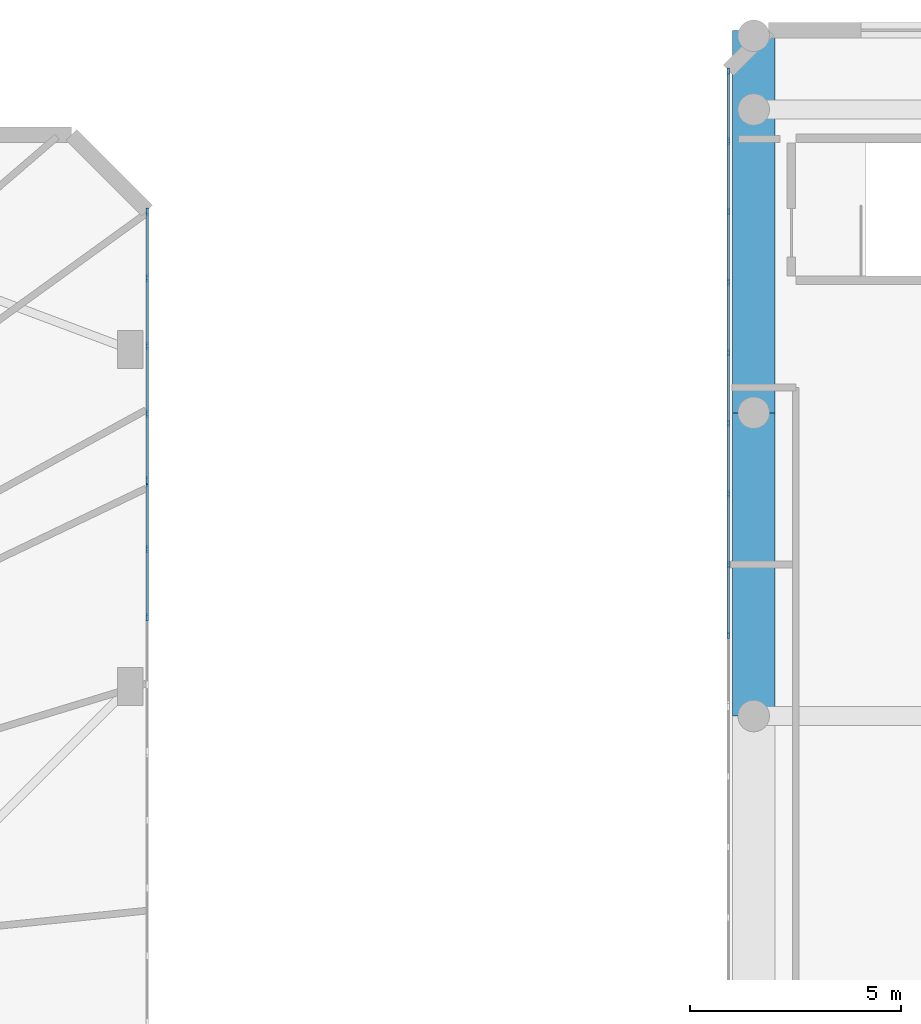
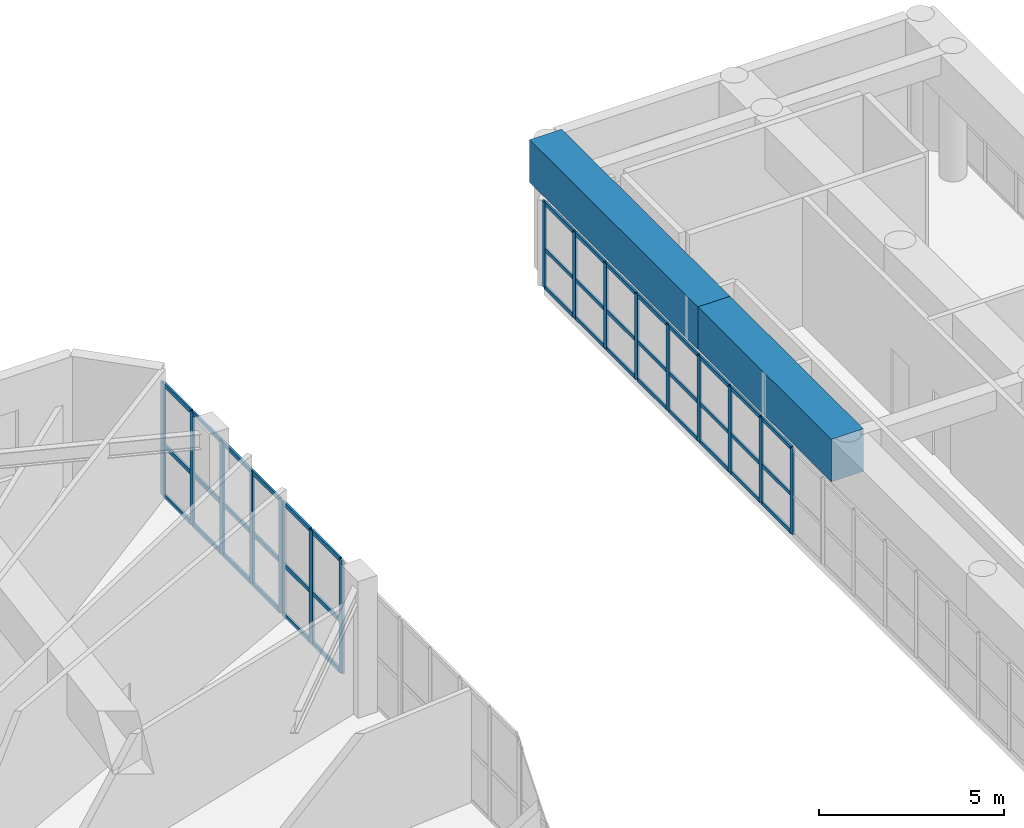
# One storey, part 7 of 22: 59 members, 2 beams, 3 elements without a shape of their own.
"""IFC4 building model written with IfcOpenShell, lengths in metres."""

from ifc_helpers import new_model, si_unit, direction, frame, origin, origin_with_axes, origin_2d, place, context, subcontext, project, spatial, rectangle, extrude, source, transform, mapped, material, layer, layer_set, material_profile, profile_set, type_object, element, aggregate, save


model = new_model("IFC4")

# Units and contexts
model_context = context("Model", 3, precision=1e-05, world=origin(), true_north=direction((0.0, 1.0)))
body_context = subcontext(model_context, "Body", "Model", "MODEL_VIEW")
ifc_project = project(units=[si_unit("LENGTHUNIT", "METRE"), si_unit("AREAUNIT", "SQUARE_METRE"), si_unit("VOLUMEUNIT", "CUBIC_METRE"), si_unit("PLANEANGLEUNIT", "RADIAN"), si_unit("MASSUNIT", "GRAM", prefix="KILO")], contexts=[model_context])

# Site, building, storey
site_placement = place(None, origin())
site = spatial("IfcSite", under=ifc_project, at=site_placement, CompositionType="ELEMENT")
building_placement = place(site_placement, origin())
building = spatial("IfcBuilding", under=site, at=building_placement, Name="Karkom Vertical University and Central Library", CompositionType="ELEMENT")
storey_placement = place(building_placement, frame((0.0, 0.0, 18.0)))
storey = spatial("IfcBuildingStorey", under=building, at=storey_placement, Name="L04", CompositionType="ELEMENT", Elevation=18.0)

# Beams
ifc_material_1 = material(Name="Concrete C50/60", Category="concrete")
ifc_material_profile_1 = material_profile(ifc_material_1, rectangle(XDim=1.0, YDim=1.39990234375, at=origin_2d()), Name="TG-1000x1400")
ifc_profile_set_1 = profile_set([ifc_material_profile_1], Name="Concrete C50/60")
beam_type = type_object("IfcBeamType", Name="STR-BM-TG-2", PredefinedType="USERDEFINED", material=ifc_profile_set_1)
shared_shape_1 = source(origin_with_axes(), body_context, "Body", "SweptSolid", [
    extrude(rectangle(XDim=1.0, YDim=1.39990234375, at=origin_2d()), origin(), (0.0, 0.0, 1.0), 9.080078125),
])
beam_1_placement = place(storey_placement, frame((69.60009765625, 41.0, 3.52490234375), z_axis=(0.0, 1.0, 0.0), x_axis=(-1.0, 0.0, 0.0)))
element("IfcBeam", 1, at=beam_1_placement, inside=storey, type_object=beam_type, Name="Level 04 Library Vault Transfer Eave Girder 1.6", ObjectType="GIRDER", PredefinedType="USERDEFINED", context=body_context, shape_type="MappedRepresentation", body=[
    mapped(shared_shape_1, transform((0.0, 0.0, 0.0), scale=1.0)),
])
shared_shape_2 = source(origin_with_axes(), body_context, "Body", "SweptSolid", [
    extrude(rectangle(XDim=1.0, YDim=1.39990234375, at=origin_2d()), origin(), (0.0, 0.0, 1.0), 7.199951171875),
])
beam_2_placement = place(storey_placement, frame((69.60009765625, 33.800048828125, 3.52490234375), z_axis=(0.0, 1.0, 0.0), x_axis=(-1.0, 0.0, 0.0)))
element("IfcBeam", 2, at=beam_2_placement, inside=storey, type_object=beam_type, Name="Level 04 Library Vault Transfer Eave Girder 1.5", ObjectType="GIRDER", PredefinedType="USERDEFINED", context=body_context, shape_type="MappedRepresentation", body=[
    mapped(shared_shape_2, transform((0.0, 0.0, 0.0), scale=1.0)),
])

# Curtain wall, members
ifc_material_2 = material(Name="Aluminium curtain-wall framing and low-E IGU", Category="aluminium")
ifc_layer_1 = layer(ifc_material_2, 0.199951171875)
ifc_layer_set_1 = layer_set([ifc_layer_1], Name="Aluminium curtain-wall framing and low-E IGU")
curtain_wall_type_1 = type_object("IfcCurtainWallType", Name="ENV-CW-4", PredefinedType="USERDEFINED", material=ifc_layer_set_1)
curtain_wall_1_placement = place(storey_placement, origin())
curtain_wall_1 = element("IfcCurtainWall", 3, at=curtain_wall_1_placement, inside=storey, type_object=curtain_wall_type_1, Name="Level 04 CW-4 Curtain Wall Level 04-CW4-3-5", ObjectType="UNITISED GLAZING", PredefinedType="USERDEFINED")
ifc_material_3 = material(Name="Anodised Aluminium 6063-T6", Category="aluminium")
ifc_material_profile_2 = material_profile(ifc_material_3, rectangle(XDim=0.06494140625, YDim=0.179931640625, at=origin_2d()), Name="ALU-M65x180")
ifc_profile_set_2 = profile_set([ifc_material_profile_2], Name="Anodised Aluminium 6063-T6")
member_type_1 = type_object("IfcMemberType", Name="ENV-MEM-ALU-M65x180", PredefinedType="MULLION", material=ifc_profile_set_2)
shared_shape_3 = source(origin_with_axes(), body_context, "Body", "SweptSolid", [
    extrude(rectangle(XDim=0.06494140625, YDim=0.179931640625, at=origin_2d()), origin(), (0.0, 0.0, 1.0), 3.72509765625),
])
member_1_placement = place(storey_placement, frame((55.199951171875, 36.14990234375, 0.0), z_axis=(0.0, 0.0, 1.0), x_axis=(-1.0, 0.0, 0.0)))
member_1 = element("IfcMember", 4, at=member_1_placement, type_object=member_type_1, Name="CW-4 mullion 3", PredefinedType="MULLION", context=body_context, shape_type="MappedRepresentation", body=[
    mapped(shared_shape_3, transform((0.0, 0.0, 0.0), scale=1.0)),
])
member_2_placement = place(storey_placement, frame((55.199951171875, 37.75830078125, 0.0), z_axis=(0.0, 0.0, 1.0), x_axis=(-1.0, 0.0, 0.0)))
member_2 = element("IfcMember", 5, at=member_2_placement, type_object=member_type_1, Name="CW-4 mullion 4", PredefinedType="MULLION", context=body_context, shape_type="MappedRepresentation", body=[
    mapped(shared_shape_3, transform((0.0, 0.0, 0.0), scale=1.0)),
])
member_3_placement = place(storey_placement, frame((55.199951171875, 39.334228515625, 0.0), z_axis=(0.0, 0.0, 1.0), x_axis=(-1.0, 0.0, 0.0)))
member_3 = element("IfcMember", 6, at=member_3_placement, type_object=member_type_1, Name="CW-4 mullion 5", PredefinedType="MULLION", context=body_context, shape_type="MappedRepresentation", body=[
    mapped(shared_shape_3, transform((0.0, 0.0, 0.0), scale=1.0)),
])

curtain_wall_2_placement = place(storey_placement, origin())
curtain_wall_2 = element("IfcCurtainWall", 7, at=curtain_wall_2_placement, inside=storey, type_object=curtain_wall_type_1, Name="Level 04 CW-4 Curtain Wall Level 04-CW4-3-6", ObjectType="UNITISED GLAZING", PredefinedType="USERDEFINED")
member_4_placement = place(storey_placement, frame((55.199951171875, 39.399169921875, 0.0), z_axis=(0.0, 0.0, 1.0), x_axis=(-1.0, 0.0, 0.0)))
member_4 = element("IfcMember", 8, at=member_4_placement, type_object=member_type_1, Name="CW-4 mullion 1", PredefinedType="MULLION", context=body_context, shape_type="MappedRepresentation", body=[
    mapped(shared_shape_3, transform((0.0, 0.0, 0.0), scale=1.0)),
])
member_5_placement = place(storey_placement, frame((55.199951171875, 40.97509765625, 0.0), z_axis=(0.0, 0.0, 1.0), x_axis=(-1.0, 0.0, 0.0)))
member_5 = element("IfcMember", 9, at=member_5_placement, type_object=member_type_1, Name="CW-4 mullion 2", PredefinedType="MULLION", context=body_context, shape_type="MappedRepresentation", body=[
    mapped(shared_shape_3, transform((0.0, 0.0, 0.0), scale=1.0)),
])
member_6_placement = place(storey_placement, frame((55.199951171875, 42.583251953125, 0.0), z_axis=(0.0, 0.0, 1.0), x_axis=(-1.0, 0.0, 0.0)))
member_6 = element("IfcMember", 10, at=member_6_placement, type_object=member_type_1, Name="CW-4 mullion 3", PredefinedType="MULLION", context=body_context, shape_type="MappedRepresentation", body=[
    mapped(shared_shape_3, transform((0.0, 0.0, 0.0), scale=1.0)),
])
member_7_placement = place(storey_placement, frame((55.199951171875, 44.191650390625, 0.0), z_axis=(0.0, 0.0, 1.0), x_axis=(-1.0, 0.0, 0.0)))
member_7 = element("IfcMember", 11, at=member_7_placement, type_object=member_type_1, Name="CW-4 mullion 4", PredefinedType="MULLION", context=body_context, shape_type="MappedRepresentation", body=[
    mapped(shared_shape_3, transform((0.0, 0.0, 0.0), scale=1.0)),
])
member_8_placement = place(storey_placement, frame((55.199951171875, 45.767578125, 0.0), z_axis=(0.0, 0.0, 1.0), x_axis=(-1.0, 0.0, 0.0)))
member_8 = element("IfcMember", 12, at=member_8_placement, type_object=member_type_1, Name="CW-4 mullion 5", PredefinedType="MULLION", context=body_context, shape_type="MappedRepresentation", body=[
    mapped(shared_shape_3, transform((0.0, 0.0, 0.0), scale=1.0)),
])

# Member
ifc_material_profile_3 = material_profile(ifc_material_3, rectangle(XDim=0.06494140625, YDim=0.135009765625, at=origin_2d()), Name="ALU-T65x135")
ifc_profile_set_3 = profile_set([ifc_material_profile_3], Name="Anodised Aluminium 6063-T6")
member_type_2 = type_object("IfcMemberType", Name="ENV-MEM-ALU-T65x135", PredefinedType="USERDEFINED", material=ifc_profile_set_3)
shared_shape_4 = source(origin_with_axes(), body_context, "Body", "SweptSolid", [
    extrude(rectangle(XDim=0.06494140625, YDim=0.135009765625, at=origin_2d()), origin(), (0.0, 0.0, 1.0), 1.510986328125),
])
member_9_placement = place(storey_placement, frame((55.199951171875, 37.790771484375, 0.032470703125), z_axis=(0.0, 1.0, 0.0), x_axis=(-1.0, 0.0, 0.0)))
member_9 = element("IfcMember", 13, at=member_9_placement, type_object=member_type_2, Name="CW-4 transom 4.1", ObjectType="TRANSOM", PredefinedType="USERDEFINED", context=body_context, shape_type="MappedRepresentation", body=[
    mapped(shared_shape_4, transform((0.0, 0.0, 0.0), scale=1.0)),
])

member_10_placement = place(storey_placement, frame((55.199951171875, 37.790771484375, 1.67626953125), z_axis=(0.0, 1.0, 0.0), x_axis=(-1.0, 0.0, 0.0)))
member_10 = element("IfcMember", 14, at=member_10_placement, type_object=member_type_2, Name="CW-4 transom 4.2", ObjectType="TRANSOM", PredefinedType="USERDEFINED", context=body_context, shape_type="MappedRepresentation", body=[
    mapped(shared_shape_4, transform((0.0, 0.0, 0.0), scale=1.0)),
])

member_11_placement = place(storey_placement, frame((55.199951171875, 37.790771484375, 3.6923828125), z_axis=(0.0, 1.0, 0.0), x_axis=(-1.0, 0.0, 0.0)))
member_11 = element("IfcMember", 15, at=member_11_placement, type_object=member_type_2, Name="CW-4 transom 4.3", ObjectType="TRANSOM", PredefinedType="USERDEFINED", context=body_context, shape_type="MappedRepresentation", body=[
    mapped(shared_shape_4, transform((0.0, 0.0, 0.0), scale=1.0)),
])

member_12_placement = place(storey_placement, frame((55.199951171875, 39.431640625, 0.032470703125), z_axis=(0.0, 1.0, 0.0), x_axis=(-1.0, 0.0, 0.0)))
member_12 = element("IfcMember", 16, at=member_12_placement, type_object=member_type_2, Name="CW-4 transom 1.1", ObjectType="TRANSOM", PredefinedType="USERDEFINED", context=body_context, shape_type="MappedRepresentation", body=[
    mapped(shared_shape_4, transform((0.0, 0.0, 0.0), scale=1.0)),
])

member_13_placement = place(storey_placement, frame((55.199951171875, 39.431640625, 1.67626953125), z_axis=(0.0, 1.0, 0.0), x_axis=(-1.0, 0.0, 0.0)))
member_13 = element("IfcMember", 17, at=member_13_placement, type_object=member_type_2, Name="CW-4 transom 1.2", ObjectType="TRANSOM", PredefinedType="USERDEFINED", context=body_context, shape_type="MappedRepresentation", body=[
    mapped(shared_shape_4, transform((0.0, 0.0, 0.0), scale=1.0)),
])

member_14_placement = place(storey_placement, frame((55.199951171875, 39.431640625, 3.6923828125), z_axis=(0.0, 1.0, 0.0), x_axis=(-1.0, 0.0, 0.0)))
member_14 = element("IfcMember", 18, at=member_14_placement, type_object=member_type_2, Name="CW-4 transom 1.3", ObjectType="TRANSOM", PredefinedType="USERDEFINED", context=body_context, shape_type="MappedRepresentation", body=[
    mapped(shared_shape_4, transform((0.0, 0.0, 0.0), scale=1.0)),
])

member_15_placement = place(storey_placement, frame((55.199951171875, 44.22412109375, 0.032470703125), z_axis=(0.0, 1.0, 0.0), x_axis=(-1.0, 0.0, 0.0)))
member_15 = element("IfcMember", 19, at=member_15_placement, type_object=member_type_2, Name="CW-4 transom 4.1", ObjectType="TRANSOM", PredefinedType="USERDEFINED", context=body_context, shape_type="MappedRepresentation", body=[
    mapped(shared_shape_4, transform((0.0, 0.0, 0.0), scale=1.0)),
])

member_16_placement = place(storey_placement, frame((55.199951171875, 44.22412109375, 1.67626953125), z_axis=(0.0, 1.0, 0.0), x_axis=(-1.0, 0.0, 0.0)))
member_16 = element("IfcMember", 20, at=member_16_placement, type_object=member_type_2, Name="CW-4 transom 4.2", ObjectType="TRANSOM", PredefinedType="USERDEFINED", context=body_context, shape_type="MappedRepresentation", body=[
    mapped(shared_shape_4, transform((0.0, 0.0, 0.0), scale=1.0)),
])

member_17_placement = place(storey_placement, frame((55.199951171875, 44.22412109375, 3.6923828125), z_axis=(0.0, 1.0, 0.0), x_axis=(-1.0, 0.0, 0.0)))
member_17 = element("IfcMember", 21, at=member_17_placement, type_object=member_type_2, Name="CW-4 transom 4.3", ObjectType="TRANSOM", PredefinedType="USERDEFINED", context=body_context, shape_type="MappedRepresentation", body=[
    mapped(shared_shape_4, transform((0.0, 0.0, 0.0), scale=1.0)),
])

shared_shape_5 = source(origin_with_axes(), body_context, "Body", "SweptSolid", [
    extrude(rectangle(XDim=0.06494140625, YDim=0.135009765625, at=origin_2d()), origin(), (0.0, 0.0, 1.0), 1.543212890625),
])
member_18_placement = place(storey_placement, frame((55.199951171875, 36.1826171875, 0.032470703125), z_axis=(0.0, 1.0, 0.0), x_axis=(-1.0, 0.0, 0.0)))
member_18 = element("IfcMember", 22, at=member_18_placement, type_object=member_type_2, Name="CW-4 transom 3.1", ObjectType="TRANSOM", PredefinedType="USERDEFINED", context=body_context, shape_type="MappedRepresentation", body=[
    mapped(shared_shape_5, transform((0.0, 0.0, 0.0), scale=1.0)),
])

member_19_placement = place(storey_placement, frame((55.199951171875, 36.1826171875, 1.67626953125), z_axis=(0.0, 1.0, 0.0), x_axis=(-1.0, 0.0, 0.0)))
member_19 = element("IfcMember", 23, at=member_19_placement, type_object=member_type_2, Name="CW-4 transom 3.2", ObjectType="TRANSOM", PredefinedType="USERDEFINED", context=body_context, shape_type="MappedRepresentation", body=[
    mapped(shared_shape_5, transform((0.0, 0.0, 0.0), scale=1.0)),
])

member_20_placement = place(storey_placement, frame((55.199951171875, 36.1826171875, 3.6923828125), z_axis=(0.0, 1.0, 0.0), x_axis=(-1.0, 0.0, 0.0)))
member_20 = element("IfcMember", 24, at=member_20_placement, type_object=member_type_2, Name="CW-4 transom 3.3", ObjectType="TRANSOM", PredefinedType="USERDEFINED", context=body_context, shape_type="MappedRepresentation", body=[
    mapped(shared_shape_5, transform((0.0, 0.0, 0.0), scale=1.0)),
])

aggregate(curtain_wall_1, [member_1, member_2, member_3, member_18, member_19, member_20, member_9, member_10, member_11])

member_21_placement = place(storey_placement, frame((55.199951171875, 41.007568359375, 0.032470703125), z_axis=(0.0, 1.0, 0.0), x_axis=(-1.0, 0.0, 0.0)))
member_21 = element("IfcMember", 25, at=member_21_placement, type_object=member_type_2, Name="CW-4 transom 2.1", ObjectType="TRANSOM", PredefinedType="USERDEFINED", context=body_context, shape_type="MappedRepresentation", body=[
    mapped(shared_shape_5, transform((0.0, 0.0, 0.0), scale=1.0)),
])

member_22_placement = place(storey_placement, frame((55.199951171875, 41.007568359375, 1.67626953125), z_axis=(0.0, 1.0, 0.0), x_axis=(-1.0, 0.0, 0.0)))
member_22 = element("IfcMember", 26, at=member_22_placement, type_object=member_type_2, Name="CW-4 transom 2.2", ObjectType="TRANSOM", PredefinedType="USERDEFINED", context=body_context, shape_type="MappedRepresentation", body=[
    mapped(shared_shape_5, transform((0.0, 0.0, 0.0), scale=1.0)),
])

member_23_placement = place(storey_placement, frame((55.199951171875, 41.007568359375, 3.6923828125), z_axis=(0.0, 1.0, 0.0), x_axis=(-1.0, 0.0, 0.0)))
member_23 = element("IfcMember", 27, at=member_23_placement, type_object=member_type_2, Name="CW-4 transom 2.3", ObjectType="TRANSOM", PredefinedType="USERDEFINED", context=body_context, shape_type="MappedRepresentation", body=[
    mapped(shared_shape_5, transform((0.0, 0.0, 0.0), scale=1.0)),
])

member_24_placement = place(storey_placement, frame((55.199951171875, 42.615966796875, 0.032470703125), z_axis=(0.0, 1.0, 0.0), x_axis=(-1.0, 0.0, 0.0)))
member_24 = element("IfcMember", 28, at=member_24_placement, type_object=member_type_2, Name="CW-4 transom 3.1", ObjectType="TRANSOM", PredefinedType="USERDEFINED", context=body_context, shape_type="MappedRepresentation", body=[
    mapped(shared_shape_5, transform((0.0, 0.0, 0.0), scale=1.0)),
])

member_25_placement = place(storey_placement, frame((55.199951171875, 42.615966796875, 1.67626953125), z_axis=(0.0, 1.0, 0.0), x_axis=(-1.0, 0.0, 0.0)))
member_25 = element("IfcMember", 29, at=member_25_placement, type_object=member_type_2, Name="CW-4 transom 3.2", ObjectType="TRANSOM", PredefinedType="USERDEFINED", context=body_context, shape_type="MappedRepresentation", body=[
    mapped(shared_shape_5, transform((0.0, 0.0, 0.0), scale=1.0)),
])

member_26_placement = place(storey_placement, frame((55.199951171875, 42.615966796875, 3.6923828125), z_axis=(0.0, 1.0, 0.0), x_axis=(-1.0, 0.0, 0.0)))
member_26 = element("IfcMember", 30, at=member_26_placement, type_object=member_type_2, Name="CW-4 transom 3.3", ObjectType="TRANSOM", PredefinedType="USERDEFINED", context=body_context, shape_type="MappedRepresentation", body=[
    mapped(shared_shape_5, transform((0.0, 0.0, 0.0), scale=1.0)),
])

aggregate(curtain_wall_2, [member_4, member_5, member_6, member_7, member_8, member_12, member_13, member_14, member_21, member_22, member_23, member_24, member_25, member_26, member_15, member_16, member_17])

# Curtain wall, members
ifc_layer_2 = layer(ifc_material_2, 0.199951171875)
ifc_layer_set_2 = layer_set([ifc_layer_2], Name="Aluminium curtain-wall framing and low-E IGU")
curtain_wall_type_2 = type_object("IfcCurtainWallType", Name="ENV-CW-2", PredefinedType="USERDEFINED", material=ifc_layer_set_2)
curtain_wall_3_placement = place(storey_placement, origin())
curtain_wall_3 = element("IfcCurtainWall", 31, at=curtain_wall_3_placement, inside=storey, type_object=curtain_wall_type_2, Name="Level 04 CW-2 Curtain Wall Level 04-CW2-7-1", ObjectType="STICK MULLION GLAZING", PredefinedType="USERDEFINED")
ifc_material_profile_4 = material_profile(ifc_material_3, rectangle(XDim=0.06005859375, YDim=0.159912109375, at=origin_2d()), Name="ALU-M60x160")
ifc_profile_set_4 = profile_set([ifc_material_profile_4], Name="Anodised Aluminium 6063-T6")
member_type_3 = type_object("IfcMemberType", Name="ENV-MEM-ALU-M60x160", PredefinedType="MULLION", material=ifc_profile_set_4)
shared_shape_6 = source(origin_with_axes(), body_context, "Body", "SweptSolid", [
    extrude(rectangle(XDim=0.06005859375, YDim=0.159912109375, at=origin_2d()), origin(), (0.0, 0.0, 1.0), 2.824951171875),
])
member_27_placement = place(storey_placement, frame((69.0, 49.10009765625, 0.0), z_axis=(0.0, 0.0, 1.0), x_axis=(1.0, 0.0, 0.0)))
member_27 = element("IfcMember", 32, at=member_27_placement, type_object=member_type_3, Name="CW-2 mullion 1", PredefinedType="MULLION", context=body_context, shape_type="MappedRepresentation", body=[
    mapped(shared_shape_6, transform((0.0, 0.0, 0.0), scale=1.0)),
])
member_28_placement = place(storey_placement, frame((69.0, 47.45361328125, 0.0), z_axis=(0.0, 0.0, 1.0), x_axis=(1.0, 0.0, 0.0)))
member_28 = element("IfcMember", 33, at=member_28_placement, type_object=member_type_3, Name="CW-2 mullion 2", PredefinedType="MULLION", context=body_context, shape_type="MappedRepresentation", body=[
    mapped(shared_shape_6, transform((0.0, 0.0, 0.0), scale=1.0)),
])
member_29_placement = place(storey_placement, frame((69.0, 45.77734375, 0.0), z_axis=(0.0, 0.0, 1.0), x_axis=(1.0, 0.0, 0.0)))
member_29 = element("IfcMember", 34, at=member_29_placement, type_object=member_type_3, Name="CW-2 mullion 3", PredefinedType="MULLION", context=body_context, shape_type="MappedRepresentation", body=[
    mapped(shared_shape_6, transform((0.0, 0.0, 0.0), scale=1.0)),
])
member_30_placement = place(storey_placement, frame((69.0, 44.10107421875, 0.0), z_axis=(0.0, 0.0, 1.0), x_axis=(1.0, 0.0, 0.0)))
member_30 = element("IfcMember", 35, at=member_30_placement, type_object=member_type_3, Name="CW-2 mullion 4", PredefinedType="MULLION", context=body_context, shape_type="MappedRepresentation", body=[
    mapped(shared_shape_6, transform((0.0, 0.0, 0.0), scale=1.0)),
])
member_31_placement = place(storey_placement, frame((69.0, 42.4248046875, 0.0), z_axis=(0.0, 0.0, 1.0), x_axis=(1.0, 0.0, 0.0)))
member_31 = element("IfcMember", 36, at=member_31_placement, type_object=member_type_3, Name="CW-2 mullion 5", PredefinedType="MULLION", context=body_context, shape_type="MappedRepresentation", body=[
    mapped(shared_shape_6, transform((0.0, 0.0, 0.0), scale=1.0)),
])
member_32_placement = place(storey_placement, frame((69.0, 40.74853515625, 0.0), z_axis=(0.0, 0.0, 1.0), x_axis=(1.0, 0.0, 0.0)))
member_32 = element("IfcMember", 37, at=member_32_placement, type_object=member_type_3, Name="CW-2 mullion 6", PredefinedType="MULLION", context=body_context, shape_type="MappedRepresentation", body=[
    mapped(shared_shape_6, transform((0.0, 0.0, 0.0), scale=1.0)),
])
member_33_placement = place(storey_placement, frame((69.0, 39.072265625, 0.0), z_axis=(0.0, 0.0, 1.0), x_axis=(1.0, 0.0, 0.0)))
member_33 = element("IfcMember", 38, at=member_33_placement, type_object=member_type_3, Name="CW-2 mullion 7", PredefinedType="MULLION", context=body_context, shape_type="MappedRepresentation", body=[
    mapped(shared_shape_6, transform((0.0, 0.0, 0.0), scale=1.0)),
])
member_34_placement = place(storey_placement, frame((69.0, 37.39599609375, 0.0), z_axis=(0.0, 0.0, 1.0), x_axis=(1.0, 0.0, 0.0)))
member_34 = element("IfcMember", 39, at=member_34_placement, type_object=member_type_3, Name="CW-2 mullion 8", PredefinedType="MULLION", context=body_context, shape_type="MappedRepresentation", body=[
    mapped(shared_shape_6, transform((0.0, 0.0, 0.0), scale=1.0)),
])
member_35_placement = place(storey_placement, frame((69.0, 35.719482421875, 0.0), z_axis=(0.0, 0.0, 1.0), x_axis=(1.0, 0.0, 0.0)))
member_35 = element("IfcMember", 40, at=member_35_placement, type_object=member_type_3, Name="CW-2 mullion 9", PredefinedType="MULLION", context=body_context, shape_type="MappedRepresentation", body=[
    mapped(shared_shape_6, transform((0.0, 0.0, 0.0), scale=1.0)),
])
ifc_material_profile_5 = material_profile(ifc_material_3, rectangle(XDim=0.06005859375, YDim=0.1201171875, at=origin_2d()), Name="ALU-T60x120")
ifc_profile_set_5 = profile_set([ifc_material_profile_5], Name="Anodised Aluminium 6063-T6")
member_type_4 = type_object("IfcMemberType", Name="ENV-MEM-ALU-T60x120", PredefinedType="USERDEFINED", material=ifc_profile_set_5)
shared_shape_7 = source(origin_with_axes(), body_context, "Body", "SweptSolid", [
    extrude(rectangle(XDim=0.06005859375, YDim=0.1201171875, at=origin_2d()), origin(), (0.0, 0.0, 1.0), 1.58642578125),
])
member_36_placement = place(storey_placement, frame((69.0, 49.070068359375, 0.030029296875), z_axis=(0.0, -1.0, 0.0), x_axis=(1.0, 0.0, 0.0)))
member_36 = element("IfcMember", 41, at=member_36_placement, type_object=member_type_4, Name="CW-2 transom 1.1", ObjectType="TRANSOM", PredefinedType="USERDEFINED", context=body_context, shape_type="MappedRepresentation", body=[
    mapped(shared_shape_7, transform((0.0, 0.0, 0.0), scale=1.0)),
])
member_37_placement = place(storey_placement, frame((69.0, 49.070068359375, 1.271240234375), z_axis=(0.0, -1.0, 0.0), x_axis=(1.0, 0.0, 0.0)))
member_37 = element("IfcMember", 42, at=member_37_placement, type_object=member_type_4, Name="CW-2 transom 1.2", ObjectType="TRANSOM", PredefinedType="USERDEFINED", context=body_context, shape_type="MappedRepresentation", body=[
    mapped(shared_shape_7, transform((0.0, 0.0, 0.0), scale=1.0)),
])
member_38_placement = place(storey_placement, frame((69.0, 49.070068359375, 2.794921875), z_axis=(0.0, -1.0, 0.0), x_axis=(1.0, 0.0, 0.0)))
member_38 = element("IfcMember", 43, at=member_38_placement, type_object=member_type_4, Name="CW-2 transom 1.3", ObjectType="TRANSOM", PredefinedType="USERDEFINED", context=body_context, shape_type="MappedRepresentation", body=[
    mapped(shared_shape_7, transform((0.0, 0.0, 0.0), scale=1.0)),
])
shared_shape_8 = source(origin_with_axes(), body_context, "Body", "SweptSolid", [
    extrude(rectangle(XDim=0.06005859375, YDim=0.1201171875, at=origin_2d()), origin(), (0.0, 0.0, 1.0), 1.6162109375),
])
member_39_placement = place(storey_placement, frame((69.0, 47.423583984375, 0.030029296875), z_axis=(0.0, -1.0, 0.0), x_axis=(1.0, 0.0, 0.0)))
member_39 = element("IfcMember", 44, at=member_39_placement, type_object=member_type_4, Name="CW-2 transom 2.1", ObjectType="TRANSOM", PredefinedType="USERDEFINED", context=body_context, shape_type="MappedRepresentation", body=[
    mapped(shared_shape_8, transform((0.0, 0.0, 0.0), scale=1.0)),
])
member_40_placement = place(storey_placement, frame((69.0, 47.423583984375, 1.271240234375), z_axis=(0.0, -1.0, 0.0), x_axis=(1.0, 0.0, 0.0)))
member_40 = element("IfcMember", 45, at=member_40_placement, type_object=member_type_4, Name="CW-2 transom 2.2", ObjectType="TRANSOM", PredefinedType="USERDEFINED", context=body_context, shape_type="MappedRepresentation", body=[
    mapped(shared_shape_8, transform((0.0, 0.0, 0.0), scale=1.0)),
])
member_41_placement = place(storey_placement, frame((69.0, 47.423583984375, 2.794921875), z_axis=(0.0, -1.0, 0.0), x_axis=(1.0, 0.0, 0.0)))
member_41 = element("IfcMember", 46, at=member_41_placement, type_object=member_type_4, Name="CW-2 transom 2.3", ObjectType="TRANSOM", PredefinedType="USERDEFINED", context=body_context, shape_type="MappedRepresentation", body=[
    mapped(shared_shape_8, transform((0.0, 0.0, 0.0), scale=1.0)),
])
member_42_placement = place(storey_placement, frame((69.0, 45.747314453125, 0.030029296875), z_axis=(0.0, -1.0, 0.0), x_axis=(1.0, 0.0, 0.0)))
member_42 = element("IfcMember", 47, at=member_42_placement, type_object=member_type_4, Name="CW-2 transom 3.1", ObjectType="TRANSOM", PredefinedType="USERDEFINED", context=body_context, shape_type="MappedRepresentation", body=[
    mapped(shared_shape_8, transform((0.0, 0.0, 0.0), scale=1.0)),
])
member_43_placement = place(storey_placement, frame((69.0, 45.747314453125, 1.271240234375), z_axis=(0.0, -1.0, 0.0), x_axis=(1.0, 0.0, 0.0)))
member_43 = element("IfcMember", 48, at=member_43_placement, type_object=member_type_4, Name="CW-2 transom 3.2", ObjectType="TRANSOM", PredefinedType="USERDEFINED", context=body_context, shape_type="MappedRepresentation", body=[
    mapped(shared_shape_8, transform((0.0, 0.0, 0.0), scale=1.0)),
])
member_44_placement = place(storey_placement, frame((69.0, 45.747314453125, 2.794921875), z_axis=(0.0, -1.0, 0.0), x_axis=(1.0, 0.0, 0.0)))
member_44 = element("IfcMember", 49, at=member_44_placement, type_object=member_type_4, Name="CW-2 transom 3.3", ObjectType="TRANSOM", PredefinedType="USERDEFINED", context=body_context, shape_type="MappedRepresentation", body=[
    mapped(shared_shape_8, transform((0.0, 0.0, 0.0), scale=1.0)),
])
member_45_placement = place(storey_placement, frame((69.0, 44.071044921875, 0.030029296875), z_axis=(0.0, -1.0, 0.0), x_axis=(1.0, 0.0, 0.0)))
member_45 = element("IfcMember", 50, at=member_45_placement, type_object=member_type_4, Name="CW-2 transom 4.1", ObjectType="TRANSOM", PredefinedType="USERDEFINED", context=body_context, shape_type="MappedRepresentation", body=[
    mapped(shared_shape_8, transform((0.0, 0.0, 0.0), scale=1.0)),
])
member_46_placement = place(storey_placement, frame((69.0, 44.071044921875, 1.271240234375), z_axis=(0.0, -1.0, 0.0), x_axis=(1.0, 0.0, 0.0)))
member_46 = element("IfcMember", 51, at=member_46_placement, type_object=member_type_4, Name="CW-2 transom 4.2", ObjectType="TRANSOM", PredefinedType="USERDEFINED", context=body_context, shape_type="MappedRepresentation", body=[
    mapped(shared_shape_8, transform((0.0, 0.0, 0.0), scale=1.0)),
])
member_47_placement = place(storey_placement, frame((69.0, 44.071044921875, 2.794921875), z_axis=(0.0, -1.0, 0.0), x_axis=(1.0, 0.0, 0.0)))
member_47 = element("IfcMember", 52, at=member_47_placement, type_object=member_type_4, Name="CW-2 transom 4.3", ObjectType="TRANSOM", PredefinedType="USERDEFINED", context=body_context, shape_type="MappedRepresentation", body=[
    mapped(shared_shape_8, transform((0.0, 0.0, 0.0), scale=1.0)),
])
member_48_placement = place(storey_placement, frame((69.0, 42.394775390625, 0.030029296875), z_axis=(0.0, -1.0, 0.0), x_axis=(1.0, 0.0, 0.0)))
member_48 = element("IfcMember", 53, at=member_48_placement, type_object=member_type_4, Name="CW-2 transom 5.1", ObjectType="TRANSOM", PredefinedType="USERDEFINED", context=body_context, shape_type="MappedRepresentation", body=[
    mapped(shared_shape_8, transform((0.0, 0.0, 0.0), scale=1.0)),
])
member_49_placement = place(storey_placement, frame((69.0, 42.394775390625, 1.271240234375), z_axis=(0.0, -1.0, 0.0), x_axis=(1.0, 0.0, 0.0)))
member_49 = element("IfcMember", 54, at=member_49_placement, type_object=member_type_4, Name="CW-2 transom 5.2", ObjectType="TRANSOM", PredefinedType="USERDEFINED", context=body_context, shape_type="MappedRepresentation", body=[
    mapped(shared_shape_8, transform((0.0, 0.0, 0.0), scale=1.0)),
])
member_50_placement = place(storey_placement, frame((69.0, 42.394775390625, 2.794921875), z_axis=(0.0, -1.0, 0.0), x_axis=(1.0, 0.0, 0.0)))
member_50 = element("IfcMember", 55, at=member_50_placement, type_object=member_type_4, Name="CW-2 transom 5.3", ObjectType="TRANSOM", PredefinedType="USERDEFINED", context=body_context, shape_type="MappedRepresentation", body=[
    mapped(shared_shape_8, transform((0.0, 0.0, 0.0), scale=1.0)),
])
member_51_placement = place(storey_placement, frame((69.0, 40.718505859375, 0.030029296875), z_axis=(0.0, -1.0, 0.0), x_axis=(1.0, 0.0, 0.0)))
member_51 = element("IfcMember", 56, at=member_51_placement, type_object=member_type_4, Name="CW-2 transom 6.1", ObjectType="TRANSOM", PredefinedType="USERDEFINED", context=body_context, shape_type="MappedRepresentation", body=[
    mapped(shared_shape_8, transform((0.0, 0.0, 0.0), scale=1.0)),
])
member_52_placement = place(storey_placement, frame((69.0, 40.718505859375, 1.271240234375), z_axis=(0.0, -1.0, 0.0), x_axis=(1.0, 0.0, 0.0)))
member_52 = element("IfcMember", 57, at=member_52_placement, type_object=member_type_4, Name="CW-2 transom 6.2", ObjectType="TRANSOM", PredefinedType="USERDEFINED", context=body_context, shape_type="MappedRepresentation", body=[
    mapped(shared_shape_8, transform((0.0, 0.0, 0.0), scale=1.0)),
])
member_53_placement = place(storey_placement, frame((69.0, 40.718505859375, 2.794921875), z_axis=(0.0, -1.0, 0.0), x_axis=(1.0, 0.0, 0.0)))
member_53 = element("IfcMember", 58, at=member_53_placement, type_object=member_type_4, Name="CW-2 transom 6.3", ObjectType="TRANSOM", PredefinedType="USERDEFINED", context=body_context, shape_type="MappedRepresentation", body=[
    mapped(shared_shape_8, transform((0.0, 0.0, 0.0), scale=1.0)),
])
shared_shape_9 = source(origin_with_axes(), body_context, "Body", "SweptSolid", [
    extrude(rectangle(XDim=0.06005859375, YDim=0.1201171875, at=origin_2d()), origin(), (0.0, 0.0, 1.0), 1.616455078125),
])
member_54_placement = place(storey_placement, frame((69.0, 39.042236328125, 0.030029296875), z_axis=(0.0, -1.0, 0.0), x_axis=(1.0, 0.0, 0.0)))
member_54 = element("IfcMember", 59, at=member_54_placement, type_object=member_type_4, Name="CW-2 transom 7.1", ObjectType="TRANSOM", PredefinedType="USERDEFINED", context=body_context, shape_type="MappedRepresentation", body=[
    mapped(shared_shape_9, transform((0.0, 0.0, 0.0), scale=1.0)),
])
member_55_placement = place(storey_placement, frame((69.0, 39.042236328125, 1.271240234375), z_axis=(0.0, -1.0, 0.0), x_axis=(1.0, 0.0, 0.0)))
member_55 = element("IfcMember", 60, at=member_55_placement, type_object=member_type_4, Name="CW-2 transom 7.2", ObjectType="TRANSOM", PredefinedType="USERDEFINED", context=body_context, shape_type="MappedRepresentation", body=[
    mapped(shared_shape_9, transform((0.0, 0.0, 0.0), scale=1.0)),
])
member_56_placement = place(storey_placement, frame((69.0, 39.042236328125, 2.794921875), z_axis=(0.0, -1.0, 0.0), x_axis=(1.0, 0.0, 0.0)))
member_56 = element("IfcMember", 61, at=member_56_placement, type_object=member_type_4, Name="CW-2 transom 7.3", ObjectType="TRANSOM", PredefinedType="USERDEFINED", context=body_context, shape_type="MappedRepresentation", body=[
    mapped(shared_shape_9, transform((0.0, 0.0, 0.0), scale=1.0)),
])
member_57_placement = place(storey_placement, frame((69.0, 37.365966796875, 0.030029296875), z_axis=(0.0, -1.0, 0.0), x_axis=(1.0, 0.0, 0.0)))
member_57 = element("IfcMember", 62, at=member_57_placement, type_object=member_type_4, Name="CW-2 transom 8.1", ObjectType="TRANSOM", PredefinedType="USERDEFINED", context=body_context, shape_type="MappedRepresentation", body=[
    mapped(shared_shape_9, transform((0.0, 0.0, 0.0), scale=1.0)),
])
member_58_placement = place(storey_placement, frame((69.0, 37.365966796875, 1.271240234375), z_axis=(0.0, -1.0, 0.0), x_axis=(1.0, 0.0, 0.0)))
member_58 = element("IfcMember", 63, at=member_58_placement, type_object=member_type_4, Name="CW-2 transom 8.2", ObjectType="TRANSOM", PredefinedType="USERDEFINED", context=body_context, shape_type="MappedRepresentation", body=[
    mapped(shared_shape_9, transform((0.0, 0.0, 0.0), scale=1.0)),
])
member_59_placement = place(storey_placement, frame((69.0, 37.365966796875, 2.794921875), z_axis=(0.0, -1.0, 0.0), x_axis=(1.0, 0.0, 0.0)))
member_59 = element("IfcMember", 64, at=member_59_placement, type_object=member_type_4, Name="CW-2 transom 8.3", ObjectType="TRANSOM", PredefinedType="USERDEFINED", context=body_context, shape_type="MappedRepresentation", body=[
    mapped(shared_shape_9, transform((0.0, 0.0, 0.0), scale=1.0)),
])
aggregate(curtain_wall_3, [member_27, member_28, member_29, member_30, member_31, member_32, member_33, member_34, member_35, member_36, member_37, member_38, member_39, member_40, member_41, member_42, member_43, member_44, member_45, member_46, member_47, member_48, member_49, member_50, member_51, member_52, member_53, member_54, member_55, member_56, member_57, member_58, member_59])

save(model, "model.ifc")
